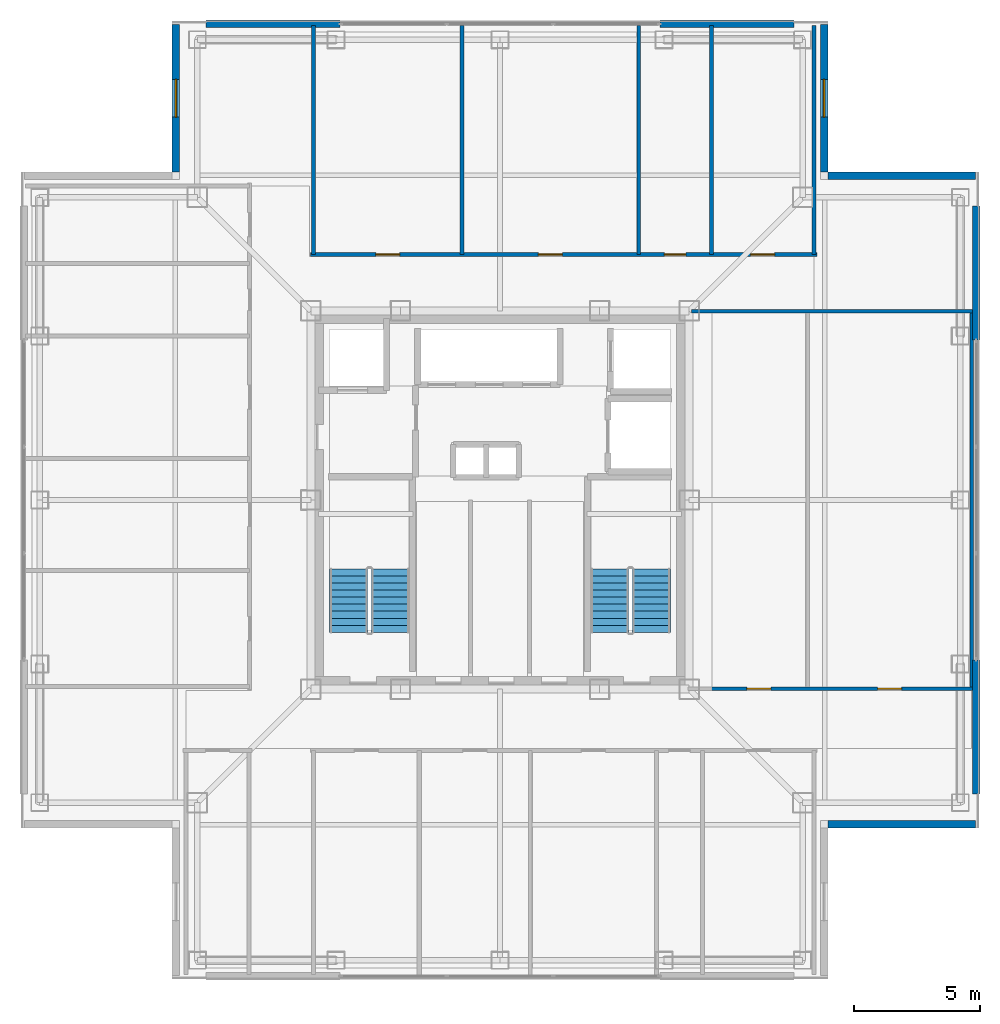
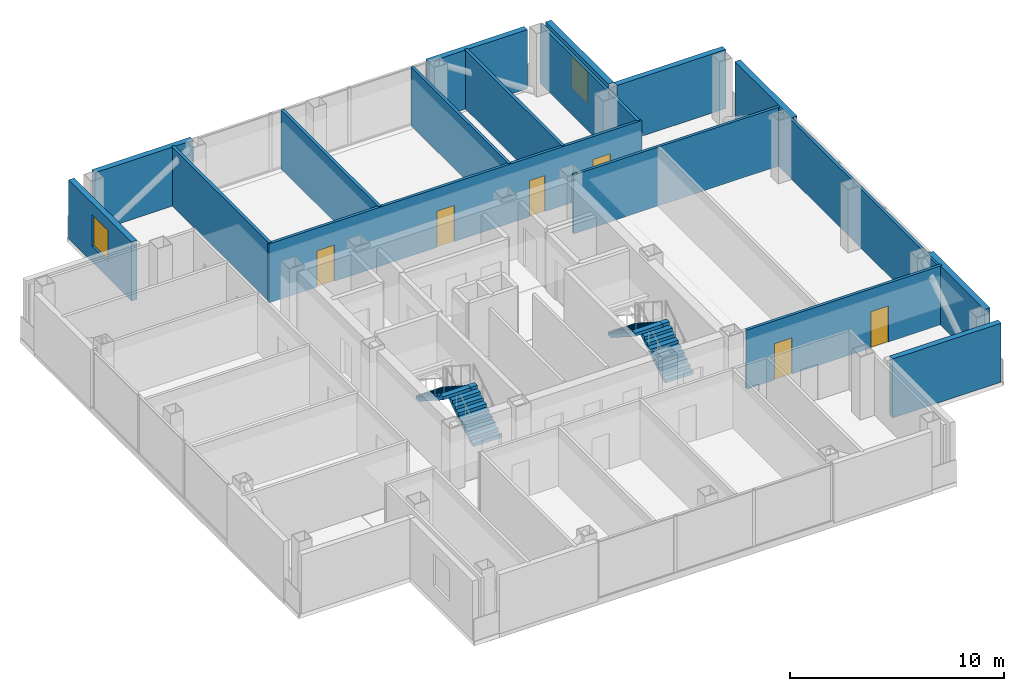
# One storey, part 10 of 16: 17 walls, 6 doors, 4 stair flights, 2 windows, 8 openings, 2 elements without a shape of their own.
"""IFC4 building model written with IfcOpenShell, lengths in metres."""

from ifc_helpers import new_model, si_unit, direction, frame, frame_2d, origin, place, context, subcontext, project, spatial, polyline, rectangle, outline, extrude, material, layer, layer_set, type_object, element, fill, aggregate, save


model = new_model("IFC4")

# Units and contexts
model_context = context("Model", 3, precision=1e-05, world=origin(), true_north=direction((0.0, 1.0)))
body_context = subcontext(model_context, "Body", "Model", "MODEL_VIEW")
ifc_project = project(units=[si_unit("LENGTHUNIT", "METRE"), si_unit("AREAUNIT", "SQUARE_METRE"), si_unit("VOLUMEUNIT", "CUBIC_METRE"), si_unit("PLANEANGLEUNIT", "RADIAN"), si_unit("MASSUNIT", "GRAM", prefix="KILO")], contexts=[model_context])

# Site, building, storey
site_placement = place(None, origin())
site = spatial("IfcSite", under=ifc_project, at=site_placement, CompositionType="ELEMENT")
building_placement = place(site_placement, origin())
building = spatial("IfcBuilding", under=site, at=building_placement, Name="Trevonay Congress Spire", CompositionType="ELEMENT")
storey_placement = place(building_placement, frame((0.0, 0.0, 236.0)))
storey = spatial("IfcBuildingStorey", under=building, at=storey_placement, Name="L61", CompositionType="ELEMENT", Elevation=236.0)

# Wall, openings, doors
ifc_material_1 = material(Name="Concrete C40/50", Category="concrete")
ifc_layer_1 = layer(ifc_material_1, 0.14990234375, Name="Concrete C40/50")
ifc_layer_set_1 = layer_set([ifc_layer_1], Name="Concrete C40/50")
wall_type_1 = type_object("IfcWallType", Name="WAL-CORR-150", PredefinedType="PARTITIONING", material=ifc_layer_set_1)
wall_1_placement = place(storey_placement, frame((-7.52001953125, 9.72998046875, 0.0), z_axis=(0.0, 0.0, 1.0), x_axis=(1.0, 0.0, 0.0)))
wall_1 = element("IfcWall", 1, at=wall_1_placement, inside=storey, type_object=wall_type_1, Name="L61 interior wall WP-L61N-COR", PredefinedType="PARTITIONING", context=body_context, shape_type="SweptSolid", body=[
    extrude(rectangle(XDim=20.090087890625, YDim=0.14990234375, at=frame_2d((10.044921875, 0.0))), origin(), (0.0, 0.0, 1.0), 3.360107421875),
])
opening_1_placement = place(wall_1_placement, frame((2.594970703125, 0.0, 0.0)))
opening_1 = element("IfcOpeningElement", 2, at=opening_1_placement, cuts=wall_1, Name="Opening D07", PredefinedType="OPENING", context=body_context, shape_type="SweptSolid", body=[
    extrude(rectangle(XDim=0.949951171875, YDim=2.06005859375, at=frame_2d((0.47509765625, 1.030029296875))), frame((0.0, 0.0849609375, 0.0), z_axis=(0.0, -1.0, 0.0), x_axis=(1.0, 0.0, 0.0)), (0.0, 0.0, 1.0), 0.169921875),
])
opening_2_placement = place(wall_1_placement, frame((9.044921875, 0.0, 0.0)))
opening_2 = element("IfcOpeningElement", 3, at=opening_2_placement, cuts=wall_1, Name="Opening D07", PredefinedType="OPENING", context=body_context, shape_type="SweptSolid", body=[
    extrude(rectangle(XDim=0.949951171875, YDim=2.06005859375, at=frame_2d((0.47509765625, 1.030029296875))), frame((0.0, 0.0849609375, 0.0), z_axis=(0.0, -1.0, 0.0), x_axis=(1.0, 0.0, 0.0)), (0.0, 0.0, 1.0), 0.169921875),
])
opening_3_placement = place(wall_1_placement, frame((14.034912109375, 0.0, 0.0)))
opening_3 = element("IfcOpeningElement", 4, at=opening_3_placement, cuts=wall_1, Name="Opening D10", PredefinedType="OPENING", context=body_context, shape_type="SweptSolid", body=[
    extrude(rectangle(XDim=0.85009765625, YDim=2.050048828125, at=frame_2d((0.425048828125, 1.02490234375))), frame((0.0, 0.0849609375, 0.0), z_axis=(0.0, -1.0, 0.0), x_axis=(1.0, 0.0, 0.0)), (0.0, 0.0, 1.0), 0.169921875),
])
opening_4_placement = place(wall_1_placement, frame((17.4599609375, 0.0, 0.0)))
opening_4 = element("IfcOpeningElement", 5, at=opening_4_placement, cuts=wall_1, Name="Opening D07", PredefinedType="OPENING", context=body_context, shape_type="SweptSolid", body=[
    extrude(rectangle(XDim=0.949951171875, YDim=2.06005859375, at=frame_2d((0.47509765625, 1.030029296875))), frame((0.0, 0.0849609375, 0.0), z_axis=(0.0, -1.0, 0.0), x_axis=(1.0, 0.0, 0.0)), (0.0, 0.0, 1.0), 0.169921875),
])
ifc_material_2 = material(Name="Pale Anodised Aluminium EN AW-6063-T6", Category="aluminium")
door_type_1 = type_object("IfcDoorType", Name="DOR-OFFICE-95", OperationType="NOTDEFINED", PredefinedType="DOOR", material=ifc_material_2)
door_1_placement = place(opening_1_placement, origin())
door_1 = element("IfcDoor", 6, at=door_1_placement, inside=storey, type_object=door_type_1, Name="L61 Defense Attache Office Door", OperationType="SINGLE_SWING_LEFT", OverallHeight=2.06005859375, OverallWidth=0.949951171875, PredefinedType="DOOR", context=body_context, shape_type="SweptSolid", body=[
    extrude(rectangle(XDim=0.949951171875, YDim=2.06005859375, at=frame_2d((0.47509765625, 1.030029296875))), frame((0.0, 0.02490234375, 0.0), z_axis=(0.0, -1.0, 0.0), x_axis=(1.0, 0.0, 0.0)), (0.0, 0.0, 1.0), 0.050048828125),
])
fill(opening_1, door_1)
door_2_placement = place(opening_2_placement, origin())
door_2 = element("IfcDoor", 7, at=door_2_placement, inside=storey, type_object=door_type_1, Name="L61 Trade Attache Office Door", OperationType="SINGLE_SWING_RIGHT", OverallHeight=2.06005859375, OverallWidth=0.949951171875, PredefinedType="DOOR", context=body_context, shape_type="SweptSolid", body=[
    extrude(rectangle(XDim=0.949951171875, YDim=2.06005859375, at=frame_2d((0.47509765625, 1.030029296875))), frame((0.0, 0.02490234375, 0.0), z_axis=(0.0, -1.0, 0.0), x_axis=(1.0, 0.0, 0.0)), (0.0, 0.0, 1.0), 0.050048828125),
])
fill(opening_2, door_2)
door_3_placement = place(opening_4_placement, origin())
door_3 = element("IfcDoor", 8, at=door_3_placement, inside=storey, type_object=door_type_1, Name="L61 Floor Supplies and Copy Room Door", OperationType="SINGLE_SWING_RIGHT", OverallHeight=2.06005859375, OverallWidth=0.949951171875, PredefinedType="DOOR", context=body_context, shape_type="SweptSolid", body=[
    extrude(rectangle(XDim=0.949951171875, YDim=2.06005859375, at=frame_2d((0.47509765625, 1.030029296875))), frame((0.0, 0.02490234375, 0.0), z_axis=(0.0, -1.0, 0.0), x_axis=(1.0, 0.0, 0.0)), (0.0, 0.0, 1.0), 0.050048828125),
])
fill(opening_4, door_3)
door_type_2 = type_object("IfcDoorType", Name="DOR-WC-85", OperationType="NOTDEFINED", PredefinedType="DOOR", material=ifc_material_2)
door_4_placement = place(opening_3_placement, origin())
door_4 = element("IfcDoor", 9, at=door_4_placement, inside=storey, type_object=door_type_2, Name="L61 Female Restroom WC Door", OperationType="SINGLE_SWING_LEFT", OverallHeight=2.050048828125, OverallWidth=0.85009765625, PredefinedType="DOOR", context=body_context, shape_type="SweptSolid", body=[
    extrude(rectangle(XDim=0.85009765625, YDim=2.050048828125, at=frame_2d((0.425048828125, 1.02490234375))), frame((0.0, 0.02490234375, 0.0), z_axis=(0.0, -1.0, 0.0), x_axis=(1.0, 0.0, 0.0)), (0.0, 0.0, 1.0), 0.050048828125),
])
fill(opening_3, door_4)

wall_2_placement = place(storey_placement, frame((8.280029296875, -7.47998046875, 0.0), z_axis=(0.0, 0.0, 1.0), x_axis=(1.0, 0.0, 0.0)))
wall_2 = element("IfcWall", 10, at=wall_2_placement, inside=storey, type_object=wall_type_1, Name="L61 interior wall WP-L61E-COR", PredefinedType="PARTITIONING", context=body_context, shape_type="SweptSolid", body=[
    extrude(rectangle(XDim=10.5400390625, YDim=0.14990234375, at=frame_2d((5.27001953125, 0.0))), origin(), (0.0, 0.0, 1.0), 3.360107421875),
])
opening_5_placement = place(wall_2_placement, frame((1.5048828125, 0.0, 0.0)))
opening_5 = element("IfcOpeningElement", 11, at=opening_5_placement, cuts=wall_2, Name="Opening D07", PredefinedType="OPENING", context=body_context, shape_type="SweptSolid", body=[
    extrude(rectangle(XDim=0.949951171875, YDim=2.06005859375, at=frame_2d((0.47509765625, 1.030029296875))), frame((0.0, 0.0849609375, 0.0), z_axis=(0.0, -1.0, 0.0), x_axis=(1.0, 0.0, 0.0)), (0.0, 0.0, 1.0), 0.169921875),
])
opening_6_placement = place(wall_2_placement, frame((6.695068359375, 0.0, 0.0)))
opening_6 = element("IfcOpeningElement", 12, at=opening_6_placement, cuts=wall_2, Name="Opening D07", PredefinedType="OPENING", context=body_context, shape_type="SweptSolid", body=[
    extrude(rectangle(XDim=0.949951171875, YDim=2.06005859375, at=frame_2d((0.47509765625, 1.030029296875))), frame((0.0, 0.0849609375, 0.0), z_axis=(0.0, -1.0, 0.0), x_axis=(1.0, 0.0, 0.0)), (0.0, 0.0, 1.0), 0.169921875),
])
door_5_placement = place(opening_5_placement, origin())
door_5 = element("IfcDoor", 13, at=door_5_placement, inside=storey, type_object=door_type_1, Name="L61 Chancery Tea Pantry Door", OperationType="SINGLE_SWING_LEFT", OverallHeight=2.06005859375, OverallWidth=0.949951171875, PredefinedType="DOOR", context=body_context, shape_type="SweptSolid", body=[
    extrude(rectangle(XDim=0.949951171875, YDim=2.06005859375, at=frame_2d((0.47509765625, 1.030029296875))), frame((0.0, 0.02490234375, 0.0), z_axis=(0.0, -1.0, 0.0), x_axis=(1.0, 0.0, 0.0)), (0.0, 0.0, 1.0), 0.050048828125),
])
fill(opening_5, door_5)
door_6_placement = place(opening_6_placement, origin())
door_6 = element("IfcDoor", 14, at=door_6_placement, inside=storey, type_object=door_type_1, Name="L61 Diplomatic Pouch Store Door", OperationType="SINGLE_SWING_RIGHT", OverallHeight=2.06005859375, OverallWidth=0.949951171875, PredefinedType="DOOR", context=body_context, shape_type="SweptSolid", body=[
    extrude(rectangle(XDim=0.949951171875, YDim=2.06005859375, at=frame_2d((0.47509765625, 1.030029296875))), frame((0.0, 0.02490234375, 0.0), z_axis=(0.0, -1.0, 0.0), x_axis=(1.0, 0.0, 0.0)), (0.0, 0.0, 1.0), 0.050048828125),
])
fill(opening_6, door_6)

# Walls
ifc_material_3 = material(Name="Precast concrete C40/50", Category="concrete")
ifc_layer_2 = layer(ifc_material_3, 0.300048828125, Name="Precast concrete C40/50")
ifc_layer_set_2 = layer_set([ifc_layer_2], Name="Precast concrete C40/50")
wall_type_2 = type_object("IfcWallType", Name="WAL-EXT-PRECAST-300", PredefinedType="SOLIDWALL", material=ifc_layer_set_2)
for number, where, z_axis, x_axis, name in (
    (15, (-11.64990234375, 18.8798828125, 0.0), (0.0, 0.0, 1.0), (1.0, 0.0, 0.0), "L61 NL braced-bay exterior pier wall"),
    (16, (6.35009765625, 18.8798828125, 0.0), (0.0, 0.0, 1.0), (1.0, 0.0, 0.0), "L61 NR braced-bay exterior pier wall"),
    (17, (18.8798828125, -11.64990234375, 0.0), (0.0, 0.0, 1.0), (0.0, 1.0, 0.0), "L61 EL braced-bay exterior pier wall"),
    (18, (18.8798828125, 6.35009765625, 0.0), (0.0, 0.0, 1.0), (0.0, 1.0, 0.0), "L61 ER braced-bay exterior pier wall"),
):
    element("IfcWall", number, at=place(storey_placement, frame(where, z_axis=z_axis, x_axis=x_axis)), inside=storey, type_object=wall_type_2, Name=name, PredefinedType="SOLIDWALL", context=body_context, shape_type="SweptSolid", body=[
        extrude(rectangle(XDim=5.2998046875, YDim=0.300048828125, at=frame_2d((2.64990234375, 0.0))), origin(), (0.0, 0.0, 1.0), 3.360107421875),
    ])
wall_3_placement = place(storey_placement, frame((18.85009765625, -12.85009765625, 0.0), z_axis=(0.0, 0.0, 1.0), x_axis=(-1.0, 0.0, 0.0)))
element("IfcWall", 19, at=wall_3_placement, inside=storey, type_object=wall_type_2, Name="L61 SE re-entrant notch exterior wall 2", PredefinedType="SOLIDWALL", context=body_context, shape_type="SweptSolid", body=[
    extrude(rectangle(XDim=5.85009765625, YDim=0.300048828125, at=frame_2d((2.925048828125, 0.0))), origin(), (0.0, 0.0, 1.0), 3.360107421875),
])

# Wall, opening, window
wall_4_placement = place(storey_placement, frame((12.85009765625, 18.85009765625, 0.0), z_axis=(0.0, 0.0, 1.0), x_axis=(0.0, -1.0, 0.0)))
wall_4 = element("IfcWall", 20, at=wall_4_placement, inside=storey, type_object=wall_type_2, Name="L61 NE re-entrant notch exterior wall 1", PredefinedType="SOLIDWALL", context=body_context, shape_type="SweptSolid", body=[
    extrude(rectangle(XDim=5.85009765625, YDim=0.300048828125, at=frame_2d((2.925048828125, 0.0))), origin(), (0.0, 0.0, 1.0), 3.360107421875),
])
opening_7_placement = place(wall_4_placement, frame((2.175048828125, 0.0, 0.89990234375)))
opening_7 = element("IfcOpeningElement", 21, at=opening_7_placement, cuts=wall_4, Name="Opening WN03", PredefinedType="OPENING", context=body_context, shape_type="SweptSolid", body=[
    extrude(rectangle(XDim=1.5, YDim=1.800048828125, at=frame_2d((0.75, 0.89990234375))), frame((0.0, 0.16015625, 0.0), z_axis=(0.0, -1.0, 0.0), x_axis=(1.0, 0.0, 0.0)), (0.0, 0.0, 1.0), 0.320068359375),
])
ifc_material_4 = material(Name="Insulated Low-E Vision Glass IGU", Category="glass")
window_type = type_object("IfcWindowType", Name="WIN-NOTCH-150X180", PartitioningType="SINGLE_PANEL", PredefinedType="WINDOW", material=ifc_material_4)
window_1_placement = place(opening_7_placement, origin())
window_1 = element("IfcWindow", 22, at=window_1_placement, inside=storey, type_object=window_type, Name="L61 NE corner notch window", OverallHeight=1.800048828125, OverallWidth=1.5, PartitioningType="SINGLE_PANEL", PredefinedType="WINDOW", context=body_context, shape_type="SweptSolid", body=[
    extrude(rectangle(XDim=1.5, YDim=1.800048828125, at=frame_2d((0.75, 0.89990234375))), frame((0.0, 0.030029296875, 0.0), z_axis=(0.0, -1.0, 0.0), x_axis=(1.0, 0.0, 0.0)), (0.0, 0.0, 1.0), 0.06005859375),
])
fill(opening_7, window_1)

# Wall
wall_5_placement = place(storey_placement, frame((18.85009765625, 12.85009765625, 0.0), z_axis=(0.0, 0.0, 1.0), x_axis=(-1.0, 0.0, 0.0)))
element("IfcWall", 23, at=wall_5_placement, inside=storey, type_object=wall_type_2, Name="L61 NE re-entrant notch exterior wall 2", PredefinedType="SOLIDWALL", context=body_context, shape_type="SweptSolid", body=[
    extrude(rectangle(XDim=5.85009765625, YDim=0.300048828125, at=frame_2d((2.925048828125, 0.0))), origin(), (0.0, 0.0, 1.0), 3.360107421875),
])

# Wall, opening, window
wall_6_placement = place(storey_placement, frame((-12.85009765625, 18.85009765625, 0.0), z_axis=(0.0, 0.0, 1.0), x_axis=(0.0, -1.0, 0.0)))
wall_6 = element("IfcWall", 24, at=wall_6_placement, inside=storey, type_object=wall_type_2, Name="L61 NW re-entrant notch exterior wall 1", PredefinedType="SOLIDWALL", context=body_context, shape_type="SweptSolid", body=[
    extrude(rectangle(XDim=5.85009765625, YDim=0.300048828125, at=frame_2d((2.925048828125, 0.0))), origin(), (0.0, 0.0, 1.0), 3.360107421875),
])
opening_8_placement = place(wall_6_placement, frame((2.175048828125, 0.0, 0.89990234375)))
opening_8 = element("IfcOpeningElement", 25, at=opening_8_placement, cuts=wall_6, Name="Opening WN03", PredefinedType="OPENING", context=body_context, shape_type="SweptSolid", body=[
    extrude(rectangle(XDim=1.5, YDim=1.800048828125, at=frame_2d((0.75, 0.89990234375))), frame((0.0, 0.16015625, 0.0), z_axis=(0.0, -1.0, 0.0), x_axis=(1.0, 0.0, 0.0)), (0.0, 0.0, 1.0), 0.320068359375),
])
window_2_placement = place(opening_8_placement, origin())
window_2 = element("IfcWindow", 26, at=window_2_placement, inside=storey, type_object=window_type, Name="L61 NW corner notch window", OverallHeight=1.800048828125, OverallWidth=1.5, PartitioningType="SINGLE_PANEL", PredefinedType="WINDOW", context=body_context, shape_type="SweptSolid", body=[
    extrude(rectangle(XDim=1.5, YDim=1.800048828125, at=frame_2d((0.75, 0.89990234375))), frame((0.0, 0.030029296875, 0.0), z_axis=(0.0, -1.0, 0.0), x_axis=(1.0, 0.0, 0.0)), (0.0, 0.0, 1.0), 0.06005859375),
])
fill(opening_8, window_2)

# Walls
ifc_layer_3 = layer(ifc_material_1, 0.14990234375, Name="Concrete C40/50")
ifc_layer_set_3 = layer_set([ifc_layer_3], Name="Concrete C40/50")
wall_type_3 = type_object("IfcWallType", Name="WAL-PART-150", PredefinedType="PARTITIONING", material=ifc_layer_set_3)
for number, where, z_axis, x_axis, name in (
    (27, (5.5, 9.72998046875, 0.0), (0.0, 0.0, 1.0), (0.0, 1.0, 0.0), "L61 interior wall WP-L61N-DIV3"),
    (28, (12.449951171875, 9.72998046875, 0.0), (0.0, 0.0, 1.0), (0.0, 1.0, 0.0), "L61 interior wall WP-L61N-DIV4"),
):
    element("IfcWall", number, at=place(storey_placement, frame(where, z_axis=z_axis, x_axis=x_axis)), inside=storey, type_object=wall_type_3, Name=name, PredefinedType="PARTITIONING", context=body_context, shape_type="SweptSolid", body=[
        extrude(rectangle(XDim=9.090087890625, YDim=0.14990234375, at=frame_2d((4.544921875, 0.0))), origin(), (0.0, 0.0, 1.0), 3.360107421875),
    ])
wall_7_placement = place(storey_placement, frame((18.699951171875, -7.47998046875, 0.0), z_axis=(0.0, 0.0, 1.0), x_axis=(0.0, 1.0, 0.0)))
element("IfcWall", 29, at=wall_7_placement, inside=storey, type_object=wall_type_3, Name="L61 interior wall WP-L61E-DIV2", PredefinedType="PARTITIONING", context=body_context, shape_type="SweptSolid", body=[
    extrude(rectangle(XDim=14.89990234375, YDim=0.14990234375, at=frame_2d((7.449951171875, 0.0))), origin(), (0.0, 0.0, 1.0), 3.360107421875),
])
wall_8_placement = place(storey_placement, frame((7.60009765625, 7.47998046875, 0.0), z_axis=(0.0, 0.0, 1.0), x_axis=(1.0, 0.0, 0.0)))
element("IfcWall", 30, at=wall_8_placement, inside=storey, type_object=wall_type_3, Name="L61 interior wall WP-L61E-NCLS", PredefinedType="PARTITIONING", context=body_context, shape_type="SweptSolid", body=[
    extrude(rectangle(XDim=11.219970703125, YDim=0.14990234375, at=frame_2d((5.60986328125, 0.0))), origin(), (0.0, 0.0, 1.0), 3.360107421875),
])
ifc_layer_4 = layer(ifc_material_1, 0.1650390625, Name="Concrete C40/50")
ifc_layer_set_4 = layer_set([ifc_layer_4], Name="Concrete C40/50")
wall_type_4 = type_object("IfcWallType", Name="WAL-WET-165", PredefinedType="PLUMBINGWALL", material=ifc_layer_set_4)
for number, where, z_axis, x_axis, name in (
    (31, (8.3798828125, 9.72998046875, 0.0), (0.0, 0.0, 1.0), (0.0, 1.0, 0.0), "L61 interior wall WP-L61N-WCS3"),
    (32, (-7.39990234375, 9.72998046875, 0.0), (0.0, 0.0, 1.0), (0.0, 1.0, 0.0), "L61 interior wall WP-L61N-DIV1"),
    (33, (-1.5, 9.72998046875, 0.0), (0.0, 0.0, 1.0), (0.0, 1.0, 0.0), "L61 interior wall WP-L61N-DIV2"),
):
    element("IfcWall", number, at=place(storey_placement, frame(where, z_axis=z_axis, x_axis=x_axis)), inside=storey, type_object=wall_type_4, Name=name, PredefinedType="PLUMBINGWALL", context=body_context, shape_type="SweptSolid", body=[
        extrude(rectangle(XDim=9.090087890625, YDim=0.1650390625, at=frame_2d((4.544921875, 0.0))), origin(), (0.0, 0.0, 1.0), 3.360107421875),
    ])

# Stair, stair flights
stair_type_1 = type_object("IfcStairType", Name="STR-ST-1", PredefinedType="HALF_TURN_STAIR", material=ifc_material_1)
stair_1_placement = place(storey_placement, origin())
stair_1 = element("IfcStair", 34, at=stair_1_placement, inside=storey, type_object=stair_type_1, Name="L61 Protected Exit Stair ST-1", PredefinedType="HALF_TURN_STAIR")
stair_flight_type_1 = type_object("IfcStairFlightType", Name="SFL-ST-1", PredefinedType="STRAIGHT", material=ifc_material_1)
stair_flight_1_placement = place(storey_placement, frame((-4.35009765625, -5.25, 0.0), z_axis=(0.0, 0.0, 1.0), x_axis=(0.0, 1.0, 0.0)))
stair_flight_1 = element("IfcStairFlight", 35, at=stair_flight_1_placement, type_object=stair_flight_type_1, Name="ST-1 flight 1", NumberOfRisers=10, NumberOfTreads=9, PredefinedType="STRAIGHT", RiserHeight=0.18, TreadLength=0.28, context=body_context, shape_type="SweptSolid", body=[
    extrude(outline(polyline([(0.0, 0.0), (0.0, 0.179931640625), (0.280029296875, 0.179931640625), (0.280029296875, 0.360107421875), (0.56005859375, 0.360107421875), (0.56005859375, 0.5400390625), (0.840087890625, 0.5400390625), (0.840087890625, 0.719970703125), (1.1201171875, 0.719970703125), (1.1201171875, 0.89990234375), (1.39990234375, 0.89990234375), (1.39990234375, 1.080078125), (1.679931640625, 1.080078125), (1.679931640625, 1.260009765625), (1.9599609375, 1.260009765625), (1.9599609375, 1.43994140625), (2.239990234375, 1.43994140625), (2.239990234375, 1.6201171875), (2.52001953125, 1.6201171875), (2.52001953125, 1.800048828125), (2.52001953125, 1.44189453125), (0.277099609375, 0.0), (0.0, 0.0)])), frame((0.0, 0.75, 0.0), z_axis=(0.0, -1.0, 0.0), x_axis=(1.0, 0.0, 0.0)), (0.0, 0.0, 1.0), 1.5),
])
stair_flight_2_placement = place(storey_placement, frame((-6.0, -2.72998046875, 1.800048828125), z_axis=(0.0, 0.0, 1.0), x_axis=(0.0, -1.0, 0.0)))
stair_flight_2 = element("IfcStairFlight", 36, at=stair_flight_2_placement, type_object=stair_flight_type_1, Name="ST-1 flight 2", NumberOfRisers=10, NumberOfTreads=9, PredefinedType="STRAIGHT", RiserHeight=0.18, TreadLength=0.28, context=body_context, shape_type="SweptSolid", body=[
    extrude(outline(polyline([(0.0, 0.0), (0.0, 0.179931640625), (0.280029296875, 0.179931640625), (0.280029296875, 0.360107421875), (0.56005859375, 0.360107421875), (0.56005859375, 0.5400390625), (0.840087890625, 0.5400390625), (0.840087890625, 0.719970703125), (1.1201171875, 0.719970703125), (1.1201171875, 0.89990234375), (1.39990234375, 0.89990234375), (1.39990234375, 1.080078125), (1.679931640625, 1.080078125), (1.679931640625, 1.260009765625), (1.9599609375, 1.260009765625), (1.9599609375, 1.43994140625), (2.239990234375, 1.43994140625), (2.239990234375, 1.6201171875), (2.52001953125, 1.6201171875), (2.52001953125, 1.800048828125), (2.52001953125, 1.44189453125), (0.277099609375, 0.0), (0.0, 0.0)])), frame((0.0, 0.75, 0.0), z_axis=(0.0, -1.0, 0.0), x_axis=(1.0, 0.0, 0.0)), (0.0, 0.0, 1.0), 1.5),
])
aggregate(stair_1, [stair_flight_1, stair_flight_2])

stair_type_2 = type_object("IfcStairType", Name="STR-ST-2", PredefinedType="HALF_TURN_STAIR", material=ifc_material_1)
stair_2_placement = place(storey_placement, origin())
stair_2 = element("IfcStair", 37, at=stair_2_placement, inside=storey, type_object=stair_type_2, Name="L61 Protected Exit Stair ST-2", PredefinedType="HALF_TURN_STAIR")
stair_flight_type_2 = type_object("IfcStairFlightType", Name="SFL-ST-2", PredefinedType="STRAIGHT", material=ifc_material_1)
stair_flight_3_placement = place(storey_placement, frame((6.0, -5.25, 0.0), z_axis=(0.0, 0.0, 1.0), x_axis=(0.0, 1.0, 0.0)))
stair_flight_3 = element("IfcStairFlight", 38, at=stair_flight_3_placement, type_object=stair_flight_type_2, Name="ST-2 flight 1", NumberOfRisers=10, NumberOfTreads=9, PredefinedType="STRAIGHT", RiserHeight=0.18, TreadLength=0.28, context=body_context, shape_type="SweptSolid", body=[
    extrude(outline(polyline([(0.0, 0.0), (0.0, 0.179931640625), (0.280029296875, 0.179931640625), (0.280029296875, 0.360107421875), (0.56005859375, 0.360107421875), (0.56005859375, 0.5400390625), (0.840087890625, 0.5400390625), (0.840087890625, 0.719970703125), (1.1201171875, 0.719970703125), (1.1201171875, 0.89990234375), (1.39990234375, 0.89990234375), (1.39990234375, 1.080078125), (1.679931640625, 1.080078125), (1.679931640625, 1.260009765625), (1.9599609375, 1.260009765625), (1.9599609375, 1.43994140625), (2.239990234375, 1.43994140625), (2.239990234375, 1.6201171875), (2.52001953125, 1.6201171875), (2.52001953125, 1.800048828125), (2.52001953125, 1.44189453125), (0.277099609375, 0.0), (0.0, 0.0)])), frame((0.0, 0.75, 0.0), z_axis=(0.0, -1.0, 0.0), x_axis=(1.0, 0.0, 0.0)), (0.0, 0.0, 1.0), 1.5),
])
stair_flight_4_placement = place(storey_placement, frame((4.35009765625, -2.72998046875, 1.800048828125), z_axis=(0.0, 0.0, 1.0), x_axis=(0.0, -1.0, 0.0)))
stair_flight_4 = element("IfcStairFlight", 39, at=stair_flight_4_placement, type_object=stair_flight_type_2, Name="ST-2 flight 2", NumberOfRisers=10, NumberOfTreads=9, PredefinedType="STRAIGHT", RiserHeight=0.18, TreadLength=0.28, context=body_context, shape_type="SweptSolid", body=[
    extrude(outline(polyline([(0.0, 0.0), (0.0, 0.179931640625), (0.280029296875, 0.179931640625), (0.280029296875, 0.360107421875), (0.56005859375, 0.360107421875), (0.56005859375, 0.5400390625), (0.840087890625, 0.5400390625), (0.840087890625, 0.719970703125), (1.1201171875, 0.719970703125), (1.1201171875, 0.89990234375), (1.39990234375, 0.89990234375), (1.39990234375, 1.080078125), (1.679931640625, 1.080078125), (1.679931640625, 1.260009765625), (1.9599609375, 1.260009765625), (1.9599609375, 1.43994140625), (2.239990234375, 1.43994140625), (2.239990234375, 1.6201171875), (2.52001953125, 1.6201171875), (2.52001953125, 1.800048828125), (2.52001953125, 1.44189453125), (0.277099609375, 0.0), (0.0, 0.0)])), frame((0.0, 0.75, 0.0), z_axis=(0.0, -1.0, 0.0), x_axis=(1.0, 0.0, 0.0)), (0.0, 0.0, 1.0), 1.5),
])
aggregate(stair_2, [stair_flight_3, stair_flight_4])

save(model, "model.ifc")
